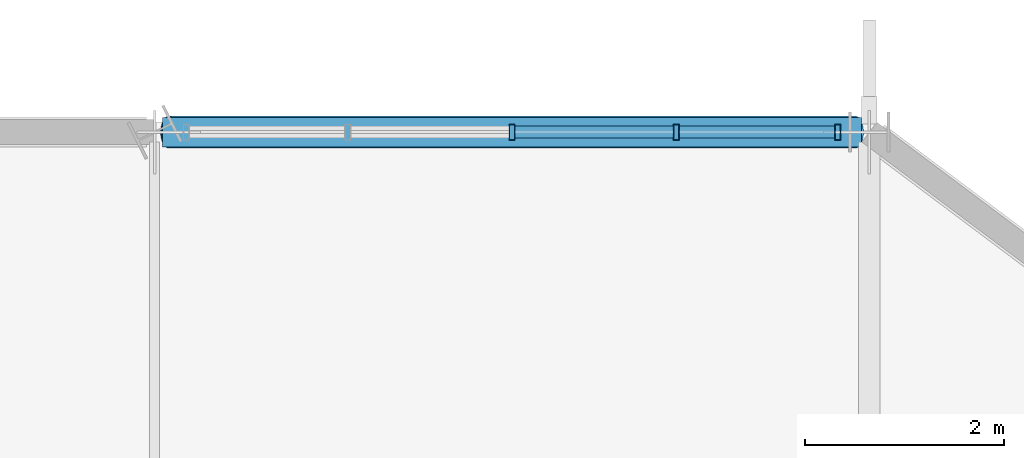
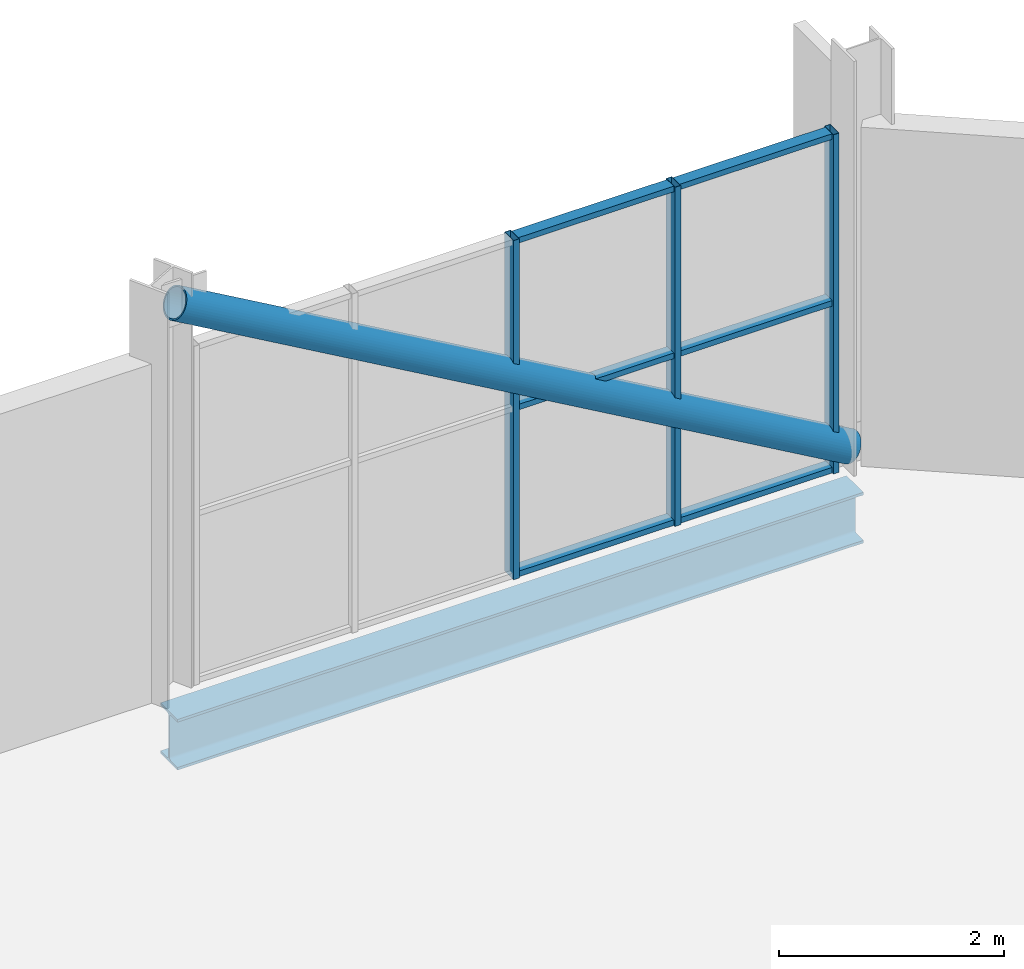
# One storey, part 15 of 22: 10 members, 1 beam, 1 element without a shape of its own.
"""IFC4 building model written with IfcOpenShell, lengths in metres."""

from ifc_helpers import new_model, si_unit, direction, frame, origin, origin_2d, place, context, subcontext, project, spatial, hollow_rectangle, hollow_circle, i_section, extrude, material, layer, layer_set, material_profile, profile_set, type_object, element, aggregate, save


model = new_model("IFC4")

# Units and contexts
model_context = context("Model", 3, precision=1e-05, world=origin(), true_north=direction((0.0, 1.0)))
body_context = subcontext(model_context, "Body", "Model", "MODEL_VIEW")
ifc_project = project(units=[si_unit("LENGTHUNIT", "METRE"), si_unit("AREAUNIT", "SQUARE_METRE"), si_unit("VOLUMEUNIT", "CUBIC_METRE"), si_unit("PLANEANGLEUNIT", "RADIAN"), si_unit("MASSUNIT", "GRAM", prefix="KILO")], contexts=[model_context])

# Site, building, storey
site_placement = place(None, origin())
site = spatial("IfcSite", under=ifc_project, at=site_placement, CompositionType="ELEMENT")
building_placement = place(site_placement, origin())
building = spatial("IfcBuilding", under=site, at=building_placement, Name="Solnavia Interchange Tower", CompositionType="ELEMENT")
storey_placement = place(building_placement, frame((0.0, 0.0, 308.699951171875)))
storey = spatial("IfcBuildingStorey", under=building, at=storey_placement, Name="C02", CompositionType="ELEMENT", Elevation=308.699951171875)

# Curtain wall, members
ifc_material_1 = material(Name="Aluminium Alloy 6063-T6", Category="aluminium")
ifc_layer = layer(ifc_material_1, 0.179931640625)
ifc_layer_set = layer_set([ifc_layer], Name="Aluminium Alloy 6063-T6")
curtain_wall_type = type_object("IfcCurtainWallType", Name="CurtainWall-Crown-CTW6", PredefinedType="NOTDEFINED", material=ifc_layer_set)
curtain_wall_placement = place(storey_placement, origin())
curtain_wall = element("IfcCurtainWall", 1, at=curtain_wall_placement, inside=storey, type_object=curtain_wall_type, Name="CTW-C02-R05 CTW-6 curtain wall", PredefinedType="NOTDEFINED")
ifc_material_profile_1 = material_profile(ifc_material_1, hollow_rectangle(XDim=0.06005859375, YDim=0.159912109375, WallThickness=0.00390625, at=origin_2d()), Name="ALU 160x60x4")
ifc_profile_set_1 = profile_set([ifc_material_profile_1], Name="Aluminium Alloy 6063-T6")
member_type_1 = type_object("IfcMemberType", Name="CW-Mullion-CWM-6", PredefinedType="MULLION", material=ifc_profile_set_1)
member_1_placement = place(storey_placement, frame((24.881591796875, 36.0, 0.0), z_axis=(0.0, 0.0, 1.0), x_axis=(-1.0, 0.0, 0.0)))
member_1 = element("IfcMember", 2, at=member_1_placement, type_object=member_type_1, Name="CTW-6 mullion 1", PredefinedType="MULLION", context=body_context, shape_type="SweptSolid", body=[
    extrude(hollow_rectangle(XDim=0.06005859375, YDim=0.159912109375, WallThickness=0.00390625, at=origin_2d()), origin(), (0.0, 0.0, 1.0), 3.679931640625),
])
member_2_placement = place(storey_placement, frame((23.255859375, 36.0, 0.0), z_axis=(0.0, 0.0, 1.0), x_axis=(-1.0, 0.0, 0.0)))
member_2 = element("IfcMember", 3, at=member_2_placement, type_object=member_type_1, Name="CTW-6 mullion 2", PredefinedType="MULLION", context=body_context, shape_type="SweptSolid", body=[
    extrude(hollow_rectangle(XDim=0.06005859375, YDim=0.159912109375, WallThickness=0.00390625, at=origin_2d()), origin(), (0.0, 0.0, 1.0), 3.679931640625),
])
member_3_placement = place(storey_placement, frame((21.60009765625, 36.0, 0.0), z_axis=(0.0, 0.0, 1.0), x_axis=(-1.0, 0.0, 0.0)))
member_3 = element("IfcMember", 4, at=member_3_placement, type_object=member_type_1, Name="CTW-6 mullion 3", PredefinedType="MULLION", context=body_context, shape_type="SweptSolid", body=[
    extrude(hollow_rectangle(XDim=0.06005859375, YDim=0.159912109375, WallThickness=0.00390625, at=origin_2d()), origin(), (0.0, 0.0, 1.0), 3.679931640625),
])
ifc_material_profile_2 = material_profile(ifc_material_1, hollow_rectangle(XDim=0.06005859375, YDim=0.1201171875, WallThickness=0.00390625, at=origin_2d()), Name="ALU 120x60x4")
ifc_profile_set_2 = profile_set([ifc_material_profile_2], Name="Aluminium Alloy 6063-T6")
member_type_2 = type_object("IfcMemberType", Name="CW-Transom-CWT-6", PredefinedType="USERDEFINED", material=ifc_profile_set_2)
member_4_placement = place(storey_placement, frame((24.8515625, 36.0, 0.030029296875), z_axis=(-1.0, 0.0, 0.0), x_axis=(0.0, 0.0, 1.0)))
member_4 = element("IfcMember", 5, at=member_4_placement, type_object=member_type_2, Name="CTW-6 transom 1.1", ObjectType="TRANSOM", PredefinedType="USERDEFINED", context=body_context, shape_type="SweptSolid", body=[
    extrude(hollow_rectangle(XDim=0.06005859375, YDim=0.1201171875, WallThickness=0.00390625, at=origin_2d()), origin(), (0.0, 0.0, 1.0), 1.56591796875),
])
member_5_placement = place(storey_placement, frame((24.8515625, 36.0, 1.840087890625), z_axis=(-1.0, 0.0, 0.0), x_axis=(0.0, 0.0, 1.0)))
member_5 = element("IfcMember", 6, at=member_5_placement, type_object=member_type_2, Name="CTW-6 transom 1.2", ObjectType="TRANSOM", PredefinedType="USERDEFINED", context=body_context, shape_type="SweptSolid", body=[
    extrude(hollow_rectangle(XDim=0.06005859375, YDim=0.1201171875, WallThickness=0.00390625, at=origin_2d()), origin(), (0.0, 0.0, 1.0), 1.56591796875),
])
member_6_placement = place(storey_placement, frame((24.8515625, 36.0, 3.650146484375), z_axis=(-1.0, 0.0, 0.0), x_axis=(0.0, 0.0, 1.0)))
member_6 = element("IfcMember", 7, at=member_6_placement, type_object=member_type_2, Name="CTW-6 transom 1.3", ObjectType="TRANSOM", PredefinedType="USERDEFINED", context=body_context, shape_type="SweptSolid", body=[
    extrude(hollow_rectangle(XDim=0.06005859375, YDim=0.1201171875, WallThickness=0.00390625, at=origin_2d()), origin(), (0.0, 0.0, 1.0), 1.56591796875),
])
member_7_placement = place(storey_placement, frame((23.225830078125, 36.0, 0.030029296875), z_axis=(-1.0, 0.0, 0.0), x_axis=(0.0, 0.0, 1.0)))
member_7 = element("IfcMember", 8, at=member_7_placement, type_object=member_type_2, Name="CTW-6 transom 2.1", ObjectType="TRANSOM", PredefinedType="USERDEFINED", context=body_context, shape_type="SweptSolid", body=[
    extrude(hollow_rectangle(XDim=0.06005859375, YDim=0.1201171875, WallThickness=0.00390625, at=origin_2d()), origin(), (0.0, 0.0, 1.0), 1.595947265625),
])
member_8_placement = place(storey_placement, frame((23.225830078125, 36.0, 1.840087890625), z_axis=(-1.0, 0.0, 0.0), x_axis=(0.0, 0.0, 1.0)))
member_8 = element("IfcMember", 9, at=member_8_placement, type_object=member_type_2, Name="CTW-6 transom 2.2", ObjectType="TRANSOM", PredefinedType="USERDEFINED", context=body_context, shape_type="SweptSolid", body=[
    extrude(hollow_rectangle(XDim=0.06005859375, YDim=0.1201171875, WallThickness=0.00390625, at=origin_2d()), origin(), (0.0, 0.0, 1.0), 1.595947265625),
])
member_9_placement = place(storey_placement, frame((23.225830078125, 36.0, 3.650146484375), z_axis=(-1.0, 0.0, 0.0), x_axis=(0.0, 0.0, 1.0)))
member_9 = element("IfcMember", 10, at=member_9_placement, type_object=member_type_2, Name="CTW-6 transom 2.3", ObjectType="TRANSOM", PredefinedType="USERDEFINED", context=body_context, shape_type="SweptSolid", body=[
    extrude(hollow_rectangle(XDim=0.06005859375, YDim=0.1201171875, WallThickness=0.00390625, at=origin_2d()), origin(), (0.0, 0.0, 1.0), 1.595947265625),
])
aggregate(curtain_wall, [member_1, member_2, member_3, member_4, member_5, member_6, member_7, member_8, member_9])

# Member
ifc_material_2 = material(Name="Steel S355", Category="steel")
ifc_material_profile_3 = material_profile(ifc_material_2, hollow_circle(Radius=0.161865234375, WallThickness=0.01611328125, at=origin_2d()), Name="CHS 323.9x16")
ifc_profile_set_3 = profile_set([ifc_material_profile_3], Name="Steel S355")
member_type_3 = type_object("IfcMemberType", Name="CrownFrame-Brace-CHS323", PredefinedType="BRACE", material=ifc_profile_set_3)
member_10_placement = place(storey_placement, frame((25.06005859375, 36.0, 0.179931640625), z_axis=(-0.866845175748, 0.0, 0.498577417542), x_axis=(0.0, -1.0, 0.0)))
element("IfcMember", 11, at=member_10_placement, inside=storey, type_object=member_type_3, Name="BRC-C02-CF05 CROWN FRAME ring brace", PredefinedType="BRACE", context=body_context, shape_type="SweptSolid", body=[
    extrude(hollow_circle(Radius=0.161865234375, WallThickness=0.01611328125, at=origin_2d()), origin(), (0.0, 0.0, 1.0), 7.983154296875),
])

# Beam
ifc_material_3 = material(Name="Steel S460", Category="steel")
ifc_material_profile_4 = material_profile(ifc_material_3, i_section(OverallWidth=0.300048828125, OverallDepth=0.550048828125, WebThickness=0.014892578125, FlangeThickness=0.029052734375, FilletRadius=0.027099609375, at=origin_2d()), Name="HEB 550")
ifc_profile_set_4 = profile_set([ifc_material_profile_4], Name="Steel S460")
beam_type = type_object("IfcBeamType", Name="CrownFrame-Ring-HEB550", PredefinedType="BEAM", material=ifc_profile_set_4)
beam_placement = place(storey_placement, frame((25.1201171875, 36.0, -0.52490234375), z_axis=(-1.0, 0.0, 0.0), x_axis=(0.0, -1.0, 0.0)))
element("IfcBeam", 12, at=beam_placement, inside=storey, type_object=beam_type, Name="GRD-C02-CR05 CROWN FRAME outer collar ring beam", PredefinedType="BEAM", context=body_context, shape_type="SweptSolid", body=[
    extrude(i_section(OverallWidth=0.300048828125, OverallDepth=0.550048828125, WebThickness=0.014892578125, FlangeThickness=0.029052734375, FilletRadius=0.027099609375, at=origin_2d()), origin(), (0.0, 0.0, 1.0), 7.0400390625),
])

save(model, "model.ifc")
